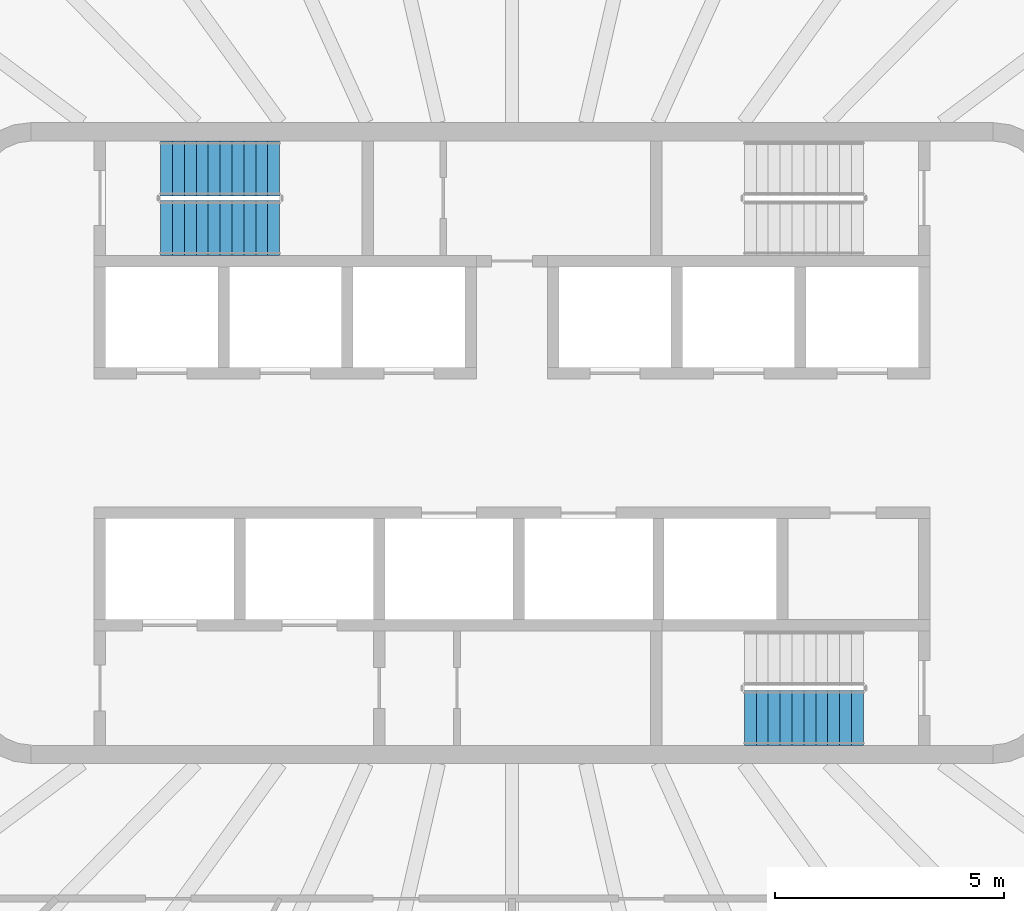
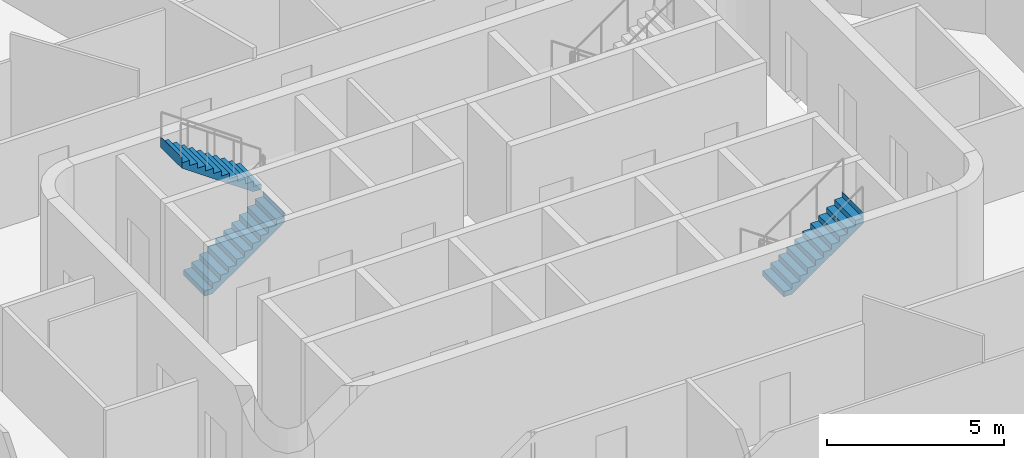
# One storey, part 13 of 20: 3 stair flights, 2 elements without a shape of their own.
"""IFC4 building model written with IfcOpenShell, lengths in metres."""

from ifc_helpers import new_model, si_unit, direction, frame, origin, place, context, subcontext, project, spatial, triangles, material, type_object, element, aggregate, save


model = new_model("IFC4")

# Units and contexts
model_context = context("Model", 3, precision=1e-05, world=origin(), true_north=direction((0.0, 1.0)))
body_context = subcontext(model_context, "Body", "Model", "MODEL_VIEW")
ifc_project = project(units=[si_unit("LENGTHUNIT", "METRE"), si_unit("AREAUNIT", "SQUARE_METRE"), si_unit("VOLUMEUNIT", "CUBIC_METRE"), si_unit("PLANEANGLEUNIT", "RADIAN"), si_unit("MASSUNIT", "GRAM", prefix="KILO")], contexts=[model_context])

# Site, building, storey
site_placement = place(None, origin())
site = spatial("IfcSite", under=ifc_project, at=site_placement, CompositionType="ELEMENT")
building_placement = place(site_placement, origin())
building = spatial("IfcBuilding", under=site, at=building_placement, Name="Sahrelin Media Tower", CompositionType="ELEMENT")
storey_placement = place(building_placement, frame((0.0, 0.0, 255.0)))
storey = spatial("IfcBuildingStorey", under=building, at=storey_placement, Name="L55", CompositionType="ELEMENT", Elevation=255.0)

# Stair, stair flights
ifc_material = material(Name="Concrete C40/50", Category="concrete")
stair_type = type_object("IfcStairType", Name="Exit stair 1200", PredefinedType="HALF_TURN_STAIR", material=ifc_material)
placement = place(storey_placement, origin())
stair_1 = element("IfcStair", 1, at=placement, inside=storey, type_object=stair_type, Name="L55 Exit stair ST1", PredefinedType="HALF_TURN_STAIR")
stair_flight_type = type_object("IfcStairFlightType", Name="Stair flight 1200", PredefinedType="STRAIGHT", material=ifc_material)
stair_flight_1_placement = place(storey_placement, frame((-7.675048828125, 4.699951171875, 0.0), z_axis=(0.0, 0.0, 1.0), x_axis=(1.0, 0.0, 0.0)))
stair_flight_1 = element("IfcStairFlight", 2, at=stair_flight_1_placement, type_object=stair_flight_type, Name="ST1 flight 1", NumberOfRisers=11, NumberOfTreads=10, PredefinedType="STRAIGHT", RiserHeight=0.181818182, TreadLength=0.26, context=body_context, shape_type="Tessellation", body=[
    triangles([(0.261474609375, 0.60009765625, 0.0), (0.261474609375, 0.300048828125, 0.0), (0.261474609375, 0.0, 0.0), (0.261474609375, -0.300048828125, 0.0), (0.261474609375, -0.60009765625, 0.0), (2.60009765625, 0.60009765625, 1.63525390625), (2.60009765625, 0.300048828125, 1.63525390625), (2.60009765625, 0.0, 1.63525390625), (2.60009765625, -0.300048828125, 1.63525390625), (2.60009765625, -0.60009765625, 1.63525390625), (2.60009765625, 0.60009765625, 2.0), (2.60009765625, 0.300048828125, 2.0), (2.60009765625, 0.0, 2.0), (2.60009765625, -0.300048828125, 2.0), (2.60009765625, -0.60009765625, 2.0), (2.597900390625, 0.60009765625, 2.0), (2.597900390625, 0.300048828125, 2.0), (2.597900390625, 0.0, 2.0), (2.597900390625, -0.300048828125, 2.0), (2.597900390625, -0.60009765625, 2.0), (2.597900390625, 0.60009765625, 1.818115234375), (2.597900390625, 0.300048828125, 1.818115234375), (2.597900390625, 0.0, 1.818115234375), (2.597900390625, -0.300048828125, 1.818115234375), (2.597900390625, -0.60009765625, 1.818115234375), (2.340087890625, 0.60009765625, 1.818115234375), (2.340087890625, 0.300048828125, 1.818115234375), (2.340087890625, 0.0, 1.818115234375), (2.340087890625, -0.300048828125, 1.818115234375), (2.340087890625, -0.60009765625, 1.818115234375), (2.340087890625, 0.60009765625, 1.636474609375), (2.340087890625, 0.300048828125, 1.636474609375), (2.340087890625, 0.0, 1.636474609375), (2.340087890625, -0.300048828125, 1.636474609375), (2.340087890625, -0.60009765625, 1.636474609375), (2.080078125, 0.60009765625, 1.636474609375), (2.080078125, 0.300048828125, 1.636474609375), (2.080078125, 0.0, 1.636474609375), (2.080078125, -0.300048828125, 1.636474609375), (2.080078125, -0.60009765625, 1.636474609375), (2.080078125, 0.60009765625, 1.45458984375), (2.080078125, 0.300048828125, 1.45458984375), (2.080078125, 0.0, 1.45458984375), (2.080078125, -0.300048828125, 1.45458984375), (2.080078125, -0.60009765625, 1.45458984375), (1.820068359375, 0.60009765625, 1.45458984375), (1.820068359375, 0.300048828125, 1.45458984375), (1.820068359375, 0.0, 1.45458984375), (1.820068359375, -0.300048828125, 1.45458984375), (1.820068359375, -0.60009765625, 1.45458984375), (1.820068359375, 0.60009765625, 1.272705078125), (1.820068359375, 0.300048828125, 1.272705078125), (1.820068359375, 0.0, 1.272705078125), (1.820068359375, -0.300048828125, 1.272705078125), (1.820068359375, -0.60009765625, 1.272705078125), (1.56005859375, 0.60009765625, 1.272705078125), (1.56005859375, 0.300048828125, 1.272705078125), (1.56005859375, 0.0, 1.272705078125), (1.56005859375, -0.300048828125, 1.272705078125), (1.56005859375, -0.60009765625, 1.272705078125), (1.56005859375, 0.60009765625, 1.0908203125), (1.56005859375, 0.300048828125, 1.0908203125), (1.56005859375, 0.0, 1.0908203125), (1.56005859375, -0.300048828125, 1.0908203125), (1.56005859375, -0.60009765625, 1.0908203125), (1.300048828125, 0.60009765625, 1.0908203125), (1.300048828125, 0.300048828125, 1.0908203125), (1.300048828125, 0.0, 1.0908203125), (1.300048828125, -0.300048828125, 1.0908203125), (1.300048828125, -0.60009765625, 1.0908203125), (1.300048828125, 0.60009765625, 0.9091796875), (1.300048828125, 0.300048828125, 0.9091796875), (1.300048828125, 0.0, 0.9091796875), (1.300048828125, -0.300048828125, 0.9091796875), (1.300048828125, -0.60009765625, 0.9091796875), (1.0400390625, 0.60009765625, 0.9091796875), (1.0400390625, 0.300048828125, 0.9091796875), (1.0400390625, 0.0, 0.9091796875), (1.0400390625, -0.300048828125, 0.9091796875), (1.0400390625, -0.60009765625, 0.9091796875), (1.0400390625, 0.60009765625, 0.727294921875), (1.0400390625, 0.300048828125, 0.727294921875), (1.0400390625, 0.0, 0.727294921875), (1.0400390625, -0.300048828125, 0.727294921875), (1.0400390625, -0.60009765625, 0.727294921875), (0.780029296875, 0.60009765625, 0.727294921875), (0.780029296875, 0.300048828125, 0.727294921875), (0.780029296875, 0.0, 0.727294921875), (0.780029296875, -0.300048828125, 0.727294921875), (0.780029296875, -0.60009765625, 0.727294921875), (0.780029296875, 0.60009765625, 0.54541015625), (0.780029296875, 0.300048828125, 0.54541015625), (0.780029296875, 0.0, 0.54541015625), (0.780029296875, -0.300048828125, 0.54541015625), (0.780029296875, -0.60009765625, 0.54541015625), (0.52001953125, 0.60009765625, 0.54541015625), (0.52001953125, 0.300048828125, 0.54541015625), (0.52001953125, 0.0, 0.54541015625), (0.52001953125, -0.300048828125, 0.54541015625), (0.52001953125, -0.60009765625, 0.54541015625), (0.52001953125, 0.60009765625, 0.363525390625), (0.52001953125, 0.300048828125, 0.363525390625), (0.52001953125, 0.0, 0.363525390625), (0.52001953125, -0.300048828125, 0.363525390625), (0.52001953125, -0.60009765625, 0.363525390625), (0.260009765625, 0.60009765625, 0.363525390625), (0.260009765625, 0.300048828125, 0.363525390625), (0.260009765625, 0.0, 0.363525390625), (0.260009765625, -0.300048828125, 0.363525390625), (0.260009765625, -0.60009765625, 0.363525390625), (0.260009765625, 0.60009765625, 0.181884765625), (0.260009765625, 0.300048828125, 0.181884765625), (0.260009765625, 0.0, 0.181884765625), (0.260009765625, -0.300048828125, 0.181884765625), (0.260009765625, -0.60009765625, 0.181884765625), (0.0, 0.60009765625, 0.181884765625), (0.0, 0.300048828125, 0.181884765625), (0.0, 0.0, 0.181884765625), (0.0, -0.300048828125, 0.181884765625), (0.0, -0.60009765625, 0.181884765625), (0.0, 0.60009765625, 0.0), (0.0, 0.300048828125, 0.0), (0.0, 0.0, 0.0), (0.0, -0.300048828125, 0.0), (0.0, -0.60009765625, 0.0)], [[1, 6, 7], [1, 7, 2], [2, 7, 8], [2, 8, 3], [3, 8, 9], [3, 9, 4], [4, 9, 10], [4, 10, 5], [6, 11, 12], [6, 12, 7], [7, 12, 13], [7, 13, 8], [8, 13, 14], [8, 14, 9], [9, 14, 15], [9, 15, 10], [11, 16, 17], [11, 17, 12], [12, 17, 18], [12, 18, 13], [13, 18, 19], [13, 19, 14], [14, 19, 20], [14, 20, 15], [16, 21, 22], [16, 22, 17], [17, 22, 23], [17, 23, 18], [18, 23, 24], [18, 24, 19], [19, 24, 25], [19, 25, 20], [21, 26, 27], [21, 27, 22], [22, 27, 28], [22, 28, 23], [23, 28, 29], [23, 29, 24], [24, 29, 30], [24, 30, 25], [26, 31, 32], [26, 32, 27], [27, 32, 33], [27, 33, 28], [28, 33, 34], [28, 34, 29], [29, 34, 35], [29, 35, 30], [31, 36, 37], [31, 37, 32], [32, 37, 38], [32, 38, 33], [33, 38, 39], [33, 39, 34], [34, 39, 40], [34, 40, 35], [36, 41, 42], [36, 42, 37], [37, 42, 43], [37, 43, 38], [38, 43, 44], [38, 44, 39], [39, 44, 45], [39, 45, 40], [41, 46, 47], [41, 47, 42], [42, 47, 48], [42, 48, 43], [43, 48, 49], [43, 49, 44], [44, 49, 50], [44, 50, 45], [46, 51, 52], [46, 52, 47], [47, 52, 53], [47, 53, 48], [48, 53, 54], [48, 54, 49], [49, 54, 55], [49, 55, 50], [51, 56, 57], [51, 57, 52], [52, 57, 58], [52, 58, 53], [53, 58, 59], [53, 59, 54], [54, 59, 60], [54, 60, 55], [56, 61, 62], [56, 62, 57], [57, 62, 63], [57, 63, 58], [58, 63, 64], [58, 64, 59], [59, 64, 65], [59, 65, 60], [61, 66, 67], [61, 67, 62], [62, 67, 68], [62, 68, 63], [63, 68, 69], [63, 69, 64], [64, 69, 70], [64, 70, 65], [66, 71, 72], [66, 72, 67], [67, 72, 73], [67, 73, 68], [68, 73, 74], [68, 74, 69], [69, 74, 75], [69, 75, 70], [71, 76, 77], [71, 77, 72], [72, 77, 78], [72, 78, 73], [73, 78, 79], [73, 79, 74], [74, 79, 80], [74, 80, 75], [76, 81, 82], [76, 82, 77], [77, 82, 83], [77, 83, 78], [78, 83, 84], [78, 84, 79], [79, 84, 85], [79, 85, 80], [81, 86, 87], [81, 87, 82], [82, 87, 88], [82, 88, 83], [83, 88, 89], [83, 89, 84], [84, 89, 90], [84, 90, 85], [86, 91, 92], [86, 92, 87], [87, 92, 93], [87, 93, 88], [88, 93, 94], [88, 94, 89], [89, 94, 95], [89, 95, 90], [91, 96, 97], [91, 97, 92], [92, 97, 98], [92, 98, 93], [93, 98, 99], [93, 99, 94], [94, 99, 100], [94, 100, 95], [96, 101, 102], [96, 102, 97], [97, 102, 103], [97, 103, 98], [98, 103, 104], [98, 104, 99], [99, 104, 105], [99, 105, 100], [101, 106, 107], [101, 107, 102], [102, 107, 108], [102, 108, 103], [103, 108, 109], [103, 109, 104], [104, 109, 110], [104, 110, 105], [106, 111, 112], [106, 112, 107], [107, 112, 113], [107, 113, 108], [108, 113, 114], [108, 114, 109], [109, 114, 115], [109, 115, 110], [111, 116, 117], [111, 117, 112], [112, 117, 118], [112, 118, 113], [113, 118, 119], [113, 119, 114], [114, 119, 120], [114, 120, 115], [116, 121, 122], [116, 122, 117], [117, 122, 123], [117, 123, 118], [118, 123, 124], [118, 124, 119], [119, 124, 125], [119, 125, 120], [121, 1, 2], [121, 2, 122], [122, 2, 3], [122, 3, 123], [123, 3, 4], [123, 4, 124], [124, 4, 5], [124, 5, 125], [115, 120, 125], [111, 121, 116], [115, 105, 110], [111, 106, 101], [105, 95, 100], [101, 96, 91], [95, 85, 90], [91, 86, 81], [85, 75, 80], [81, 76, 71], [75, 65, 70], [71, 66, 61], [65, 55, 60], [61, 56, 51], [55, 45, 50], [51, 46, 41], [45, 35, 40], [41, 36, 31], [35, 25, 30], [31, 26, 21], [25, 15, 20], [21, 16, 11], [125, 5, 115], [121, 111, 1], [25, 10, 15], [21, 11, 6], [105, 115, 5], [101, 1, 111], [35, 10, 25], [31, 21, 6], [95, 105, 5], [91, 1, 101], [45, 10, 35], [41, 31, 6], [85, 95, 5], [81, 1, 91], [55, 10, 45], [51, 41, 6], [75, 85, 5], [71, 1, 81], [65, 10, 55], [61, 51, 6], [5, 10, 75], [1, 71, 6], [75, 10, 65], [71, 61, 6]], closed=True),
])
stair_flight_2_placement = place(storey_placement, frame((-5.074951171875, 6.0, 2.0), z_axis=(0.0, 0.0, 1.0), x_axis=(-1.0, 0.0, 0.0)))
stair_flight_2 = element("IfcStairFlight", 3, at=stair_flight_2_placement, type_object=stair_flight_type, Name="ST1 flight 2", NumberOfRisers=11, NumberOfTreads=10, PredefinedType="STRAIGHT", RiserHeight=0.181818182, TreadLength=0.26, context=body_context, shape_type="Tessellation", body=[
    triangles([(0.261474609375, 0.60009765625, 0.0), (0.261474609375, 0.300048828125, 0.0), (0.261474609375, 0.0, 0.0), (0.261474609375, -0.300048828125, 0.0), (0.261474609375, -0.60009765625, 0.0), (2.60009765625, 0.60009765625, 1.63525390625), (2.60009765625, 0.300048828125, 1.63525390625), (2.60009765625, 0.0, 1.63525390625), (2.60009765625, -0.300048828125, 1.63525390625), (2.60009765625, -0.60009765625, 1.63525390625), (2.60009765625, 0.60009765625, 2.0), (2.60009765625, 0.300048828125, 2.0), (2.60009765625, 0.0, 2.0), (2.60009765625, -0.300048828125, 2.0), (2.60009765625, -0.60009765625, 2.0), (2.597900390625, 0.60009765625, 2.0), (2.597900390625, 0.300048828125, 2.0), (2.597900390625, 0.0, 2.0), (2.597900390625, -0.300048828125, 2.0), (2.597900390625, -0.60009765625, 2.0), (2.597900390625, 0.60009765625, 1.818115234375), (2.597900390625, 0.300048828125, 1.818115234375), (2.597900390625, 0.0, 1.818115234375), (2.597900390625, -0.300048828125, 1.818115234375), (2.597900390625, -0.60009765625, 1.818115234375), (2.340087890625, 0.60009765625, 1.818115234375), (2.340087890625, 0.300048828125, 1.818115234375), (2.340087890625, 0.0, 1.818115234375), (2.340087890625, -0.300048828125, 1.818115234375), (2.340087890625, -0.60009765625, 1.818115234375), (2.340087890625, 0.60009765625, 1.636474609375), (2.340087890625, 0.300048828125, 1.636474609375), (2.340087890625, 0.0, 1.636474609375), (2.340087890625, -0.300048828125, 1.636474609375), (2.340087890625, -0.60009765625, 1.636474609375), (2.080078125, 0.60009765625, 1.636474609375), (2.080078125, 0.300048828125, 1.636474609375), (2.080078125, 0.0, 1.636474609375), (2.080078125, -0.300048828125, 1.636474609375), (2.080078125, -0.60009765625, 1.636474609375), (2.080078125, 0.60009765625, 1.45458984375), (2.080078125, 0.300048828125, 1.45458984375), (2.080078125, 0.0, 1.45458984375), (2.080078125, -0.300048828125, 1.45458984375), (2.080078125, -0.60009765625, 1.45458984375), (1.820068359375, 0.60009765625, 1.45458984375), (1.820068359375, 0.300048828125, 1.45458984375), (1.820068359375, 0.0, 1.45458984375), (1.820068359375, -0.300048828125, 1.45458984375), (1.820068359375, -0.60009765625, 1.45458984375), (1.820068359375, 0.60009765625, 1.272705078125), (1.820068359375, 0.300048828125, 1.272705078125), (1.820068359375, 0.0, 1.272705078125), (1.820068359375, -0.300048828125, 1.272705078125), (1.820068359375, -0.60009765625, 1.272705078125), (1.56005859375, 0.60009765625, 1.272705078125), (1.56005859375, 0.300048828125, 1.272705078125), (1.56005859375, 0.0, 1.272705078125), (1.56005859375, -0.300048828125, 1.272705078125), (1.56005859375, -0.60009765625, 1.272705078125), (1.56005859375, 0.60009765625, 1.0908203125), (1.56005859375, 0.300048828125, 1.0908203125), (1.56005859375, 0.0, 1.0908203125), (1.56005859375, -0.300048828125, 1.0908203125), (1.56005859375, -0.60009765625, 1.0908203125), (1.300048828125, 0.60009765625, 1.0908203125), (1.300048828125, 0.300048828125, 1.0908203125), (1.300048828125, 0.0, 1.0908203125), (1.300048828125, -0.300048828125, 1.0908203125), (1.300048828125, -0.60009765625, 1.0908203125), (1.300048828125, 0.60009765625, 0.9091796875), (1.300048828125, 0.300048828125, 0.9091796875), (1.300048828125, 0.0, 0.9091796875), (1.300048828125, -0.300048828125, 0.9091796875), (1.300048828125, -0.60009765625, 0.9091796875), (1.0400390625, 0.60009765625, 0.9091796875), (1.0400390625, 0.300048828125, 0.9091796875), (1.0400390625, 0.0, 0.9091796875), (1.0400390625, -0.300048828125, 0.9091796875), (1.0400390625, -0.60009765625, 0.9091796875), (1.0400390625, 0.60009765625, 0.727294921875), (1.0400390625, 0.300048828125, 0.727294921875), (1.0400390625, 0.0, 0.727294921875), (1.0400390625, -0.300048828125, 0.727294921875), (1.0400390625, -0.60009765625, 0.727294921875), (0.780029296875, 0.60009765625, 0.727294921875), (0.780029296875, 0.300048828125, 0.727294921875), (0.780029296875, 0.0, 0.727294921875), (0.780029296875, -0.300048828125, 0.727294921875), (0.780029296875, -0.60009765625, 0.727294921875), (0.780029296875, 0.60009765625, 0.54541015625), (0.780029296875, 0.300048828125, 0.54541015625), (0.780029296875, 0.0, 0.54541015625), (0.780029296875, -0.300048828125, 0.54541015625), (0.780029296875, -0.60009765625, 0.54541015625), (0.52001953125, 0.60009765625, 0.54541015625), (0.52001953125, 0.300048828125, 0.54541015625), (0.52001953125, 0.0, 0.54541015625), (0.52001953125, -0.300048828125, 0.54541015625), (0.52001953125, -0.60009765625, 0.54541015625), (0.52001953125, 0.60009765625, 0.363525390625), (0.52001953125, 0.300048828125, 0.363525390625), (0.52001953125, 0.0, 0.363525390625), (0.52001953125, -0.300048828125, 0.363525390625), (0.52001953125, -0.60009765625, 0.363525390625), (0.260009765625, 0.60009765625, 0.363525390625), (0.260009765625, 0.300048828125, 0.363525390625), (0.260009765625, 0.0, 0.363525390625), (0.260009765625, -0.300048828125, 0.363525390625), (0.260009765625, -0.60009765625, 0.363525390625), (0.260009765625, 0.60009765625, 0.181884765625), (0.260009765625, 0.300048828125, 0.181884765625), (0.260009765625, 0.0, 0.181884765625), (0.260009765625, -0.300048828125, 0.181884765625), (0.260009765625, -0.60009765625, 0.181884765625), (0.0, 0.60009765625, 0.181884765625), (0.0, 0.300048828125, 0.181884765625), (0.0, 0.0, 0.181884765625), (0.0, -0.300048828125, 0.181884765625), (0.0, -0.60009765625, 0.181884765625), (0.0, 0.60009765625, 0.0), (0.0, 0.300048828125, 0.0), (0.0, 0.0, 0.0), (0.0, -0.300048828125, 0.0), (0.0, -0.60009765625, 0.0)], [[1, 6, 7], [1, 7, 2], [2, 7, 8], [2, 8, 3], [3, 8, 9], [3, 9, 4], [4, 9, 10], [4, 10, 5], [6, 11, 12], [6, 12, 7], [7, 12, 13], [7, 13, 8], [8, 13, 14], [8, 14, 9], [9, 14, 15], [9, 15, 10], [11, 16, 17], [11, 17, 12], [12, 17, 18], [12, 18, 13], [13, 18, 19], [13, 19, 14], [14, 19, 20], [14, 20, 15], [16, 21, 22], [16, 22, 17], [17, 22, 23], [17, 23, 18], [18, 23, 24], [18, 24, 19], [19, 24, 25], [19, 25, 20], [21, 26, 27], [21, 27, 22], [22, 27, 28], [22, 28, 23], [23, 28, 29], [23, 29, 24], [24, 29, 30], [24, 30, 25], [26, 31, 32], [26, 32, 27], [27, 32, 33], [27, 33, 28], [28, 33, 34], [28, 34, 29], [29, 34, 35], [29, 35, 30], [31, 36, 37], [31, 37, 32], [32, 37, 38], [32, 38, 33], [33, 38, 39], [33, 39, 34], [34, 39, 40], [34, 40, 35], [36, 41, 42], [36, 42, 37], [37, 42, 43], [37, 43, 38], [38, 43, 44], [38, 44, 39], [39, 44, 45], [39, 45, 40], [41, 46, 47], [41, 47, 42], [42, 47, 48], [42, 48, 43], [43, 48, 49], [43, 49, 44], [44, 49, 50], [44, 50, 45], [46, 51, 52], [46, 52, 47], [47, 52, 53], [47, 53, 48], [48, 53, 54], [48, 54, 49], [49, 54, 55], [49, 55, 50], [51, 56, 57], [51, 57, 52], [52, 57, 58], [52, 58, 53], [53, 58, 59], [53, 59, 54], [54, 59, 60], [54, 60, 55], [56, 61, 62], [56, 62, 57], [57, 62, 63], [57, 63, 58], [58, 63, 64], [58, 64, 59], [59, 64, 65], [59, 65, 60], [61, 66, 67], [61, 67, 62], [62, 67, 68], [62, 68, 63], [63, 68, 69], [63, 69, 64], [64, 69, 70], [64, 70, 65], [66, 71, 72], [66, 72, 67], [67, 72, 73], [67, 73, 68], [68, 73, 74], [68, 74, 69], [69, 74, 75], [69, 75, 70], [71, 76, 77], [71, 77, 72], [72, 77, 78], [72, 78, 73], [73, 78, 79], [73, 79, 74], [74, 79, 80], [74, 80, 75], [76, 81, 82], [76, 82, 77], [77, 82, 83], [77, 83, 78], [78, 83, 84], [78, 84, 79], [79, 84, 85], [79, 85, 80], [81, 86, 87], [81, 87, 82], [82, 87, 88], [82, 88, 83], [83, 88, 89], [83, 89, 84], [84, 89, 90], [84, 90, 85], [86, 91, 92], [86, 92, 87], [87, 92, 93], [87, 93, 88], [88, 93, 94], [88, 94, 89], [89, 94, 95], [89, 95, 90], [91, 96, 97], [91, 97, 92], [92, 97, 98], [92, 98, 93], [93, 98, 99], [93, 99, 94], [94, 99, 100], [94, 100, 95], [96, 101, 102], [96, 102, 97], [97, 102, 103], [97, 103, 98], [98, 103, 104], [98, 104, 99], [99, 104, 105], [99, 105, 100], [101, 106, 107], [101, 107, 102], [102, 107, 108], [102, 108, 103], [103, 108, 109], [103, 109, 104], [104, 109, 110], [104, 110, 105], [106, 111, 112], [106, 112, 107], [107, 112, 113], [107, 113, 108], [108, 113, 114], [108, 114, 109], [109, 114, 115], [109, 115, 110], [111, 116, 117], [111, 117, 112], [112, 117, 118], [112, 118, 113], [113, 118, 119], [113, 119, 114], [114, 119, 120], [114, 120, 115], [116, 121, 122], [116, 122, 117], [117, 122, 123], [117, 123, 118], [118, 123, 124], [118, 124, 119], [119, 124, 125], [119, 125, 120], [121, 1, 2], [121, 2, 122], [122, 2, 3], [122, 3, 123], [123, 3, 4], [123, 4, 124], [124, 4, 5], [124, 5, 125], [115, 120, 125], [111, 121, 116], [115, 105, 110], [111, 106, 101], [105, 95, 100], [101, 96, 91], [95, 85, 90], [91, 86, 81], [85, 75, 80], [81, 76, 71], [75, 65, 70], [71, 66, 61], [65, 55, 60], [61, 56, 51], [55, 45, 50], [51, 46, 41], [45, 35, 40], [41, 36, 31], [35, 25, 30], [31, 26, 21], [25, 15, 20], [21, 16, 11], [125, 5, 115], [121, 111, 1], [25, 10, 15], [21, 11, 6], [105, 115, 5], [101, 1, 111], [35, 10, 25], [31, 21, 6], [95, 105, 5], [91, 1, 101], [45, 10, 35], [41, 31, 6], [85, 95, 5], [81, 1, 91], [55, 10, 45], [51, 41, 6], [75, 85, 5], [71, 1, 81], [65, 10, 55], [61, 51, 6], [5, 10, 75], [1, 71, 6], [75, 10, 65], [71, 61, 6]], closed=True),
])
aggregate(stair_1, [stair_flight_1, stair_flight_2])

# Stair, stair flight
stair_2 = element("IfcStair", 4, at=placement, inside=storey, type_object=stair_type, Name="L55 Exit stair ST2", PredefinedType="HALF_TURN_STAIR")
stair_flight_3_placement = place(storey_placement, frame((5.074951171875, -6.0, 2.0), z_axis=(0.0, 0.0, 1.0), x_axis=(1.0, 0.0, 0.0)))
stair_flight_3 = element("IfcStairFlight", 5, at=stair_flight_3_placement, type_object=stair_flight_type, Name="ST2 flight 2", NumberOfRisers=11, NumberOfTreads=10, PredefinedType="STRAIGHT", RiserHeight=0.181818182, TreadLength=0.26, context=body_context, shape_type="Tessellation", body=[
    triangles([(0.261474609375, 0.60009765625, 0.0), (0.261474609375, 0.300048828125, 0.0), (0.261474609375, 0.0, 0.0), (0.261474609375, -0.300048828125, 0.0), (0.261474609375, -0.60009765625, 0.0), (2.60009765625, 0.60009765625, 1.63525390625), (2.60009765625, 0.300048828125, 1.63525390625), (2.60009765625, 0.0, 1.63525390625), (2.60009765625, -0.300048828125, 1.63525390625), (2.60009765625, -0.60009765625, 1.63525390625), (2.60009765625, 0.60009765625, 2.0), (2.60009765625, 0.300048828125, 2.0), (2.60009765625, 0.0, 2.0), (2.60009765625, -0.300048828125, 2.0), (2.60009765625, -0.60009765625, 2.0), (2.597900390625, 0.60009765625, 2.0), (2.597900390625, 0.300048828125, 2.0), (2.597900390625, 0.0, 2.0), (2.597900390625, -0.300048828125, 2.0), (2.597900390625, -0.60009765625, 2.0), (2.597900390625, 0.60009765625, 1.818115234375), (2.597900390625, 0.300048828125, 1.818115234375), (2.597900390625, 0.0, 1.818115234375), (2.597900390625, -0.300048828125, 1.818115234375), (2.597900390625, -0.60009765625, 1.818115234375), (2.340087890625, 0.60009765625, 1.818115234375), (2.340087890625, 0.300048828125, 1.818115234375), (2.340087890625, 0.0, 1.818115234375), (2.340087890625, -0.300048828125, 1.818115234375), (2.340087890625, -0.60009765625, 1.818115234375), (2.340087890625, 0.60009765625, 1.636474609375), (2.340087890625, 0.300048828125, 1.636474609375), (2.340087890625, 0.0, 1.636474609375), (2.340087890625, -0.300048828125, 1.636474609375), (2.340087890625, -0.60009765625, 1.636474609375), (2.080078125, 0.60009765625, 1.636474609375), (2.080078125, 0.300048828125, 1.636474609375), (2.080078125, 0.0, 1.636474609375), (2.080078125, -0.300048828125, 1.636474609375), (2.080078125, -0.60009765625, 1.636474609375), (2.080078125, 0.60009765625, 1.45458984375), (2.080078125, 0.300048828125, 1.45458984375), (2.080078125, 0.0, 1.45458984375), (2.080078125, -0.300048828125, 1.45458984375), (2.080078125, -0.60009765625, 1.45458984375), (1.820068359375, 0.60009765625, 1.45458984375), (1.820068359375, 0.300048828125, 1.45458984375), (1.820068359375, 0.0, 1.45458984375), (1.820068359375, -0.300048828125, 1.45458984375), (1.820068359375, -0.60009765625, 1.45458984375), (1.820068359375, 0.60009765625, 1.272705078125), (1.820068359375, 0.300048828125, 1.272705078125), (1.820068359375, 0.0, 1.272705078125), (1.820068359375, -0.300048828125, 1.272705078125), (1.820068359375, -0.60009765625, 1.272705078125), (1.56005859375, 0.60009765625, 1.272705078125), (1.56005859375, 0.300048828125, 1.272705078125), (1.56005859375, 0.0, 1.272705078125), (1.56005859375, -0.300048828125, 1.272705078125), (1.56005859375, -0.60009765625, 1.272705078125), (1.56005859375, 0.60009765625, 1.0908203125), (1.56005859375, 0.300048828125, 1.0908203125), (1.56005859375, 0.0, 1.0908203125), (1.56005859375, -0.300048828125, 1.0908203125), (1.56005859375, -0.60009765625, 1.0908203125), (1.300048828125, 0.60009765625, 1.0908203125), (1.300048828125, 0.300048828125, 1.0908203125), (1.300048828125, 0.0, 1.0908203125), (1.300048828125, -0.300048828125, 1.0908203125), (1.300048828125, -0.60009765625, 1.0908203125), (1.300048828125, 0.60009765625, 0.9091796875), (1.300048828125, 0.300048828125, 0.9091796875), (1.300048828125, 0.0, 0.9091796875), (1.300048828125, -0.300048828125, 0.9091796875), (1.300048828125, -0.60009765625, 0.9091796875), (1.0400390625, 0.60009765625, 0.9091796875), (1.0400390625, 0.300048828125, 0.9091796875), (1.0400390625, 0.0, 0.9091796875), (1.0400390625, -0.300048828125, 0.9091796875), (1.0400390625, -0.60009765625, 0.9091796875), (1.0400390625, 0.60009765625, 0.727294921875), (1.0400390625, 0.300048828125, 0.727294921875), (1.0400390625, 0.0, 0.727294921875), (1.0400390625, -0.300048828125, 0.727294921875), (1.0400390625, -0.60009765625, 0.727294921875), (0.780029296875, 0.60009765625, 0.727294921875), (0.780029296875, 0.300048828125, 0.727294921875), (0.780029296875, 0.0, 0.727294921875), (0.780029296875, -0.300048828125, 0.727294921875), (0.780029296875, -0.60009765625, 0.727294921875), (0.780029296875, 0.60009765625, 0.54541015625), (0.780029296875, 0.300048828125, 0.54541015625), (0.780029296875, 0.0, 0.54541015625), (0.780029296875, -0.300048828125, 0.54541015625), (0.780029296875, -0.60009765625, 0.54541015625), (0.52001953125, 0.60009765625, 0.54541015625), (0.52001953125, 0.300048828125, 0.54541015625), (0.52001953125, 0.0, 0.54541015625), (0.52001953125, -0.300048828125, 0.54541015625), (0.52001953125, -0.60009765625, 0.54541015625), (0.52001953125, 0.60009765625, 0.363525390625), (0.52001953125, 0.300048828125, 0.363525390625), (0.52001953125, 0.0, 0.363525390625), (0.52001953125, -0.300048828125, 0.363525390625), (0.52001953125, -0.60009765625, 0.363525390625), (0.260009765625, 0.60009765625, 0.363525390625), (0.260009765625, 0.300048828125, 0.363525390625), (0.260009765625, 0.0, 0.363525390625), (0.260009765625, -0.300048828125, 0.363525390625), (0.260009765625, -0.60009765625, 0.363525390625), (0.260009765625, 0.60009765625, 0.181884765625), (0.260009765625, 0.300048828125, 0.181884765625), (0.260009765625, 0.0, 0.181884765625), (0.260009765625, -0.300048828125, 0.181884765625), (0.260009765625, -0.60009765625, 0.181884765625), (0.0, 0.60009765625, 0.181884765625), (0.0, 0.300048828125, 0.181884765625), (0.0, 0.0, 0.181884765625), (0.0, -0.300048828125, 0.181884765625), (0.0, -0.60009765625, 0.181884765625), (0.0, 0.60009765625, 0.0), (0.0, 0.300048828125, 0.0), (0.0, 0.0, 0.0), (0.0, -0.300048828125, 0.0), (0.0, -0.60009765625, 0.0)], [[1, 6, 7], [1, 7, 2], [2, 7, 8], [2, 8, 3], [3, 8, 9], [3, 9, 4], [4, 9, 10], [4, 10, 5], [6, 11, 12], [6, 12, 7], [7, 12, 13], [7, 13, 8], [8, 13, 14], [8, 14, 9], [9, 14, 15], [9, 15, 10], [11, 16, 17], [11, 17, 12], [12, 17, 18], [12, 18, 13], [13, 18, 19], [13, 19, 14], [14, 19, 20], [14, 20, 15], [16, 21, 22], [16, 22, 17], [17, 22, 23], [17, 23, 18], [18, 23, 24], [18, 24, 19], [19, 24, 25], [19, 25, 20], [21, 26, 27], [21, 27, 22], [22, 27, 28], [22, 28, 23], [23, 28, 29], [23, 29, 24], [24, 29, 30], [24, 30, 25], [26, 31, 32], [26, 32, 27], [27, 32, 33], [27, 33, 28], [28, 33, 34], [28, 34, 29], [29, 34, 35], [29, 35, 30], [31, 36, 37], [31, 37, 32], [32, 37, 38], [32, 38, 33], [33, 38, 39], [33, 39, 34], [34, 39, 40], [34, 40, 35], [36, 41, 42], [36, 42, 37], [37, 42, 43], [37, 43, 38], [38, 43, 44], [38, 44, 39], [39, 44, 45], [39, 45, 40], [41, 46, 47], [41, 47, 42], [42, 47, 48], [42, 48, 43], [43, 48, 49], [43, 49, 44], [44, 49, 50], [44, 50, 45], [46, 51, 52], [46, 52, 47], [47, 52, 53], [47, 53, 48], [48, 53, 54], [48, 54, 49], [49, 54, 55], [49, 55, 50], [51, 56, 57], [51, 57, 52], [52, 57, 58], [52, 58, 53], [53, 58, 59], [53, 59, 54], [54, 59, 60], [54, 60, 55], [56, 61, 62], [56, 62, 57], [57, 62, 63], [57, 63, 58], [58, 63, 64], [58, 64, 59], [59, 64, 65], [59, 65, 60], [61, 66, 67], [61, 67, 62], [62, 67, 68], [62, 68, 63], [63, 68, 69], [63, 69, 64], [64, 69, 70], [64, 70, 65], [66, 71, 72], [66, 72, 67], [67, 72, 73], [67, 73, 68], [68, 73, 74], [68, 74, 69], [69, 74, 75], [69, 75, 70], [71, 76, 77], [71, 77, 72], [72, 77, 78], [72, 78, 73], [73, 78, 79], [73, 79, 74], [74, 79, 80], [74, 80, 75], [76, 81, 82], [76, 82, 77], [77, 82, 83], [77, 83, 78], [78, 83, 84], [78, 84, 79], [79, 84, 85], [79, 85, 80], [81, 86, 87], [81, 87, 82], [82, 87, 88], [82, 88, 83], [83, 88, 89], [83, 89, 84], [84, 89, 90], [84, 90, 85], [86, 91, 92], [86, 92, 87], [87, 92, 93], [87, 93, 88], [88, 93, 94], [88, 94, 89], [89, 94, 95], [89, 95, 90], [91, 96, 97], [91, 97, 92], [92, 97, 98], [92, 98, 93], [93, 98, 99], [93, 99, 94], [94, 99, 100], [94, 100, 95], [96, 101, 102], [96, 102, 97], [97, 102, 103], [97, 103, 98], [98, 103, 104], [98, 104, 99], [99, 104, 105], [99, 105, 100], [101, 106, 107], [101, 107, 102], [102, 107, 108], [102, 108, 103], [103, 108, 109], [103, 109, 104], [104, 109, 110], [104, 110, 105], [106, 111, 112], [106, 112, 107], [107, 112, 113], [107, 113, 108], [108, 113, 114], [108, 114, 109], [109, 114, 115], [109, 115, 110], [111, 116, 117], [111, 117, 112], [112, 117, 118], [112, 118, 113], [113, 118, 119], [113, 119, 114], [114, 119, 120], [114, 120, 115], [116, 121, 122], [116, 122, 117], [117, 122, 123], [117, 123, 118], [118, 123, 124], [118, 124, 119], [119, 124, 125], [119, 125, 120], [121, 1, 2], [121, 2, 122], [122, 2, 3], [122, 3, 123], [123, 3, 4], [123, 4, 124], [124, 4, 5], [124, 5, 125], [115, 120, 125], [111, 121, 116], [115, 105, 110], [111, 106, 101], [105, 95, 100], [101, 96, 91], [95, 85, 90], [91, 86, 81], [85, 75, 80], [81, 76, 71], [75, 65, 70], [71, 66, 61], [65, 55, 60], [61, 56, 51], [55, 45, 50], [51, 46, 41], [45, 35, 40], [41, 36, 31], [35, 25, 30], [31, 26, 21], [25, 15, 20], [21, 16, 11], [125, 5, 115], [121, 111, 1], [25, 10, 15], [21, 11, 6], [105, 115, 5], [101, 1, 111], [35, 10, 25], [31, 21, 6], [95, 105, 5], [91, 1, 101], [45, 10, 35], [41, 31, 6], [85, 95, 5], [81, 1, 91], [55, 10, 45], [51, 41, 6], [75, 85, 5], [71, 1, 81], [65, 10, 55], [61, 51, 6], [5, 10, 75], [1, 71, 6], [75, 10, 65], [71, 61, 6]], closed=True),
])
aggregate(stair_2, [stair_flight_3])

save(model, "model.ifc")
